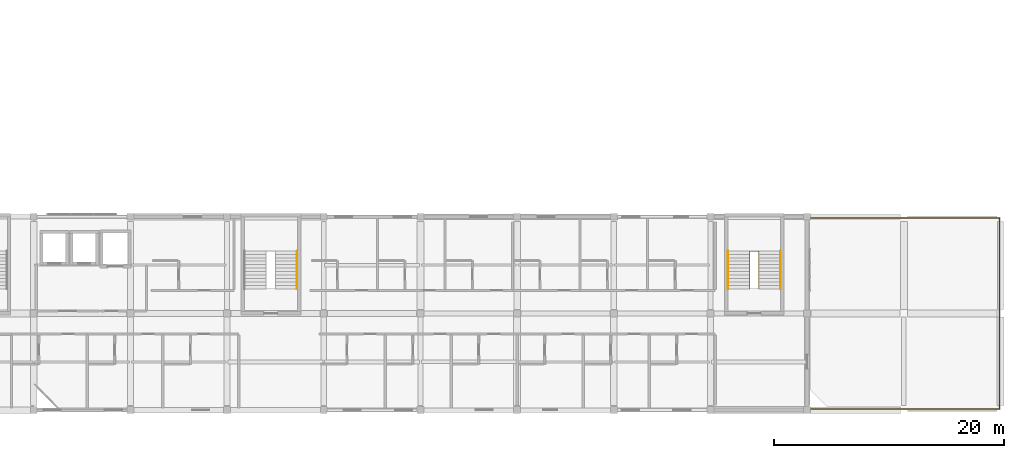
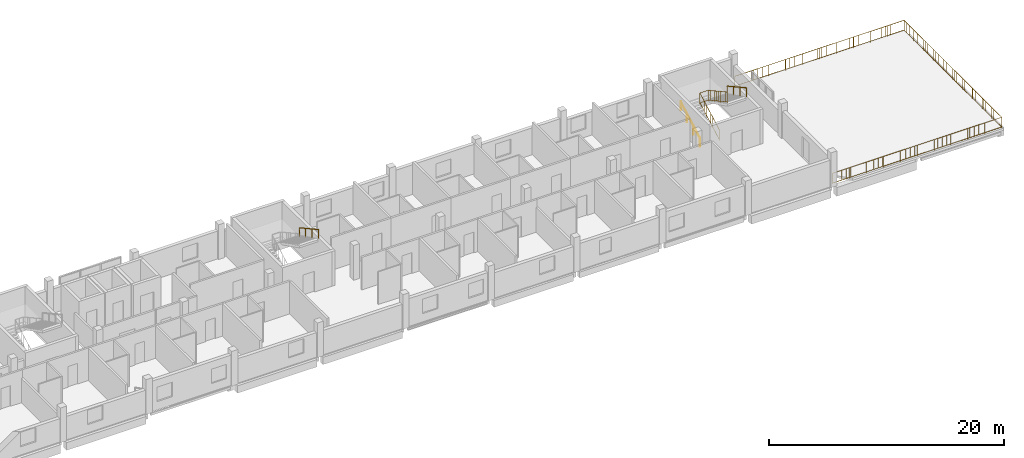
# One storey, part 25 of 25: 7 railings.
"""IFC4 building model written with IfcOpenShell, lengths in metres."""

from ifc_helpers import new_model, si_unit, derived_unit, direction, frame, origin, origin_2d, place, context, subcontext, project, spatial, circle, extrude, material, layer, layer_set, type_object, element, save


model = new_model("IFC4")

# Units and contexts
model_context = context("Model", 3, precision=1e-05, world=origin(), true_north=direction((0.0, 1.0)))
body_context = subcontext(model_context, "Body", "Model", "MODEL_VIEW")
ifc_project = project(units=[si_unit("LENGTHUNIT", "METRE"), si_unit("AREAUNIT", "SQUARE_METRE"), si_unit("VOLUMEUNIT", "CUBIC_METRE"), si_unit("PLANEANGLEUNIT", "RADIAN"), si_unit("MASSUNIT", "GRAM", prefix="KILO"), derived_unit("THERMALTRANSMITTANCEUNIT", [(si_unit("POWERUNIT", "WATT"), 1), (si_unit("LENGTHUNIT", "METRE"), -2), (si_unit("THERMODYNAMICTEMPERATUREUNIT", "KELVIN"), -1)])], contexts=[model_context])

# Site, building, storey
site_placement = place(None, origin())
site = spatial("IfcSite", under=ifc_project, at=site_placement, CompositionType="ELEMENT")
building_placement = place(site_placement, origin())
building = spatial("IfcBuilding", under=site, at=building_placement, Name="Barrovel Congress Hotel", CompositionType="ELEMENT")
storey_placement = place(building_placement, frame((0.0, 0.0, 25.5)))
storey = spatial("IfcBuildingStorey", under=building, at=storey_placement, Name="L06", CompositionType="ELEMENT", Elevation=25.5)

# Railings
ifc_material_1 = material(Name="Painted Architectural Steel", Category="steel")
ifc_layer_1 = layer(ifc_material_1, 0.080078125)
ifc_layer_set_1 = layer_set([ifc_layer_1], Name="Painted Architectural Steel")
railing_type_1 = type_object("IfcRailingType", Name="RAIL-GUARD-EXT", PredefinedType="BALUSTRADE", material=ifc_layer_set_1)
railing_1_placement = place(storey_placement, frame((151.300048828125, 4.300048828125, 0.0)))
element("IfcRailing", 1, at=railing_1_placement, inside=storey, type_object=railing_type_1, Name="L06 East Terrace Guardrail 1", PredefinedType="BALUSTRADE", context=body_context, shape_type="SweptSolid", body=[
    extrude(circle(Radius=0.02392578125, at=origin_2d()), frame((0.0, 0.0, 1.11572265625), z_axis=(1.0, 0.0, 0.0), x_axis=(0.0, 1.0, 0.0)), (0.0, 0.0, 1.0), 16.599853515625),
    extrude(circle(Radius=0.02392578125, at=origin_2d()), frame((0.0, 0.0, 0.10009765625), z_axis=(1.0, 0.0, 0.0), x_axis=(0.0, 1.0, 0.0)), (0.0, 0.0, 1.0), 16.599853515625),
    extrude(circle(Radius=0.010009765625, at=origin_2d()), frame((0.44873046875, 0.0, 0.10009765625)), (0.0, 0.0, 1.0), 0.99169921875),
    extrude(circle(Radius=0.010009765625, at=origin_2d()), frame((0.897216796875, 0.0, 0.10009765625)), (0.0, 0.0, 1.0), 0.99169921875),
    extrude(circle(Radius=0.010009765625, at=origin_2d()), frame((1.345947265625, 0.0, 0.10009765625)), (0.0, 0.0, 1.0), 0.99169921875),
    extrude(circle(Radius=0.010009765625, at=origin_2d()), frame((1.794677734375, 0.0, 0.10009765625)), (0.0, 0.0, 1.0), 0.99169921875),
    extrude(circle(Radius=0.010009765625, at=origin_2d()), frame((2.2431640625, 0.0, 0.10009765625)), (0.0, 0.0, 1.0), 0.99169921875),
    extrude(circle(Radius=0.010009765625, at=origin_2d()), frame((2.69189453125, 0.0, 0.10009765625)), (0.0, 0.0, 1.0), 0.99169921875),
    extrude(circle(Radius=0.010009765625, at=origin_2d()), frame((3.140625, 0.0, 0.10009765625)), (0.0, 0.0, 1.0), 0.99169921875),
    extrude(circle(Radius=0.010009765625, at=origin_2d()), frame((3.589111328125, 0.0, 0.10009765625)), (0.0, 0.0, 1.0), 0.99169921875),
    extrude(circle(Radius=0.010009765625, at=origin_2d()), frame((4.037841796875, 0.0, 0.10009765625)), (0.0, 0.0, 1.0), 0.99169921875),
    extrude(circle(Radius=0.010009765625, at=origin_2d()), frame((4.486328125, 0.0, 0.10009765625)), (0.0, 0.0, 1.0), 0.99169921875),
    extrude(circle(Radius=0.010009765625, at=origin_2d()), frame((4.93505859375, 0.0, 0.10009765625)), (0.0, 0.0, 1.0), 0.99169921875),
    extrude(circle(Radius=0.010009765625, at=origin_2d()), frame((5.3837890625, 0.0, 0.10009765625)), (0.0, 0.0, 1.0), 0.99169921875),
    extrude(circle(Radius=0.010009765625, at=origin_2d()), frame((5.832275390625, 0.0, 0.10009765625)), (0.0, 0.0, 1.0), 0.99169921875),
    extrude(circle(Radius=0.010009765625, at=origin_2d()), frame((6.281005859375, 0.0, 0.10009765625)), (0.0, 0.0, 1.0), 0.99169921875),
    extrude(circle(Radius=0.010009765625, at=origin_2d()), frame((6.729736328125, 0.0, 0.10009765625)), (0.0, 0.0, 1.0), 0.99169921875),
    extrude(circle(Radius=0.010009765625, at=origin_2d()), frame((7.17822265625, 0.0, 0.10009765625)), (0.0, 0.0, 1.0), 0.99169921875),
    extrude(circle(Radius=0.010009765625, at=origin_2d()), frame((7.626953125, 0.0, 0.10009765625)), (0.0, 0.0, 1.0), 0.99169921875),
    extrude(circle(Radius=0.010009765625, at=origin_2d()), frame((8.07568359375, 0.0, 0.10009765625)), (0.0, 0.0, 1.0), 0.99169921875),
    extrude(circle(Radius=0.010009765625, at=origin_2d()), frame((8.524169921875, 0.0, 0.10009765625)), (0.0, 0.0, 1.0), 0.99169921875),
    extrude(circle(Radius=0.010009765625, at=origin_2d()), frame((8.972900390625, 0.0, 0.10009765625)), (0.0, 0.0, 1.0), 0.99169921875),
    extrude(circle(Radius=0.010009765625, at=origin_2d()), frame((9.421630859375, 0.0, 0.10009765625)), (0.0, 0.0, 1.0), 0.99169921875),
    extrude(circle(Radius=0.010009765625, at=origin_2d()), frame((9.8701171875, 0.0, 0.10009765625)), (0.0, 0.0, 1.0), 0.99169921875),
    extrude(circle(Radius=0.010009765625, at=origin_2d()), frame((10.31884765625, 0.0, 0.10009765625)), (0.0, 0.0, 1.0), 0.99169921875),
    extrude(circle(Radius=0.010009765625, at=origin_2d()), frame((10.767578125, 0.0, 0.10009765625)), (0.0, 0.0, 1.0), 0.99169921875),
    extrude(circle(Radius=0.010009765625, at=origin_2d()), frame((11.216064453125, 0.0, 0.10009765625)), (0.0, 0.0, 1.0), 0.99169921875),
    extrude(circle(Radius=0.010009765625, at=origin_2d()), frame((11.664794921875, 0.0, 0.10009765625)), (0.0, 0.0, 1.0), 0.99169921875),
    extrude(circle(Radius=0.010009765625, at=origin_2d()), frame((12.113525390625, 0.0, 0.10009765625)), (0.0, 0.0, 1.0), 0.99169921875),
    extrude(circle(Radius=0.010009765625, at=origin_2d()), frame((12.56201171875, 0.0, 0.10009765625)), (0.0, 0.0, 1.0), 0.99169921875),
    extrude(circle(Radius=0.010009765625, at=origin_2d()), frame((13.0107421875, 0.0, 0.10009765625)), (0.0, 0.0, 1.0), 0.99169921875),
    extrude(circle(Radius=0.010009765625, at=origin_2d()), frame((13.459228515625, 0.0, 0.10009765625)), (0.0, 0.0, 1.0), 0.99169921875),
    extrude(circle(Radius=0.010009765625, at=origin_2d()), frame((13.907958984375, 0.0, 0.10009765625)), (0.0, 0.0, 1.0), 0.99169921875),
    extrude(circle(Radius=0.010009765625, at=origin_2d()), frame((14.356689453125, 0.0, 0.10009765625)), (0.0, 0.0, 1.0), 0.99169921875),
    extrude(circle(Radius=0.010009765625, at=origin_2d()), frame((14.80517578125, 0.0, 0.10009765625)), (0.0, 0.0, 1.0), 0.99169921875),
    extrude(circle(Radius=0.010009765625, at=origin_2d()), frame((15.25390625, 0.0, 0.10009765625)), (0.0, 0.0, 1.0), 0.99169921875),
    extrude(circle(Radius=0.010009765625, at=origin_2d()), frame((15.70263671875, 0.0, 0.10009765625)), (0.0, 0.0, 1.0), 0.99169921875),
    extrude(circle(Radius=0.010009765625, at=origin_2d()), frame((16.151123046875, 0.0, 0.10009765625)), (0.0, 0.0, 1.0), 0.99169921875),
    extrude(circle(Radius=0.02099609375, at=origin_2d()), origin(), (0.0, 0.0, 1.0), 1.091796875),
    extrude(circle(Radius=0.02099609375, at=origin_2d()), frame((1.659912109375, 0.0, 0.0)), (0.0, 0.0, 1.0), 1.091796875),
    extrude(circle(Radius=0.02099609375, at=origin_2d()), frame((3.320068359375, 0.0, 0.0)), (0.0, 0.0, 1.0), 1.091796875),
    extrude(circle(Radius=0.02099609375, at=origin_2d()), frame((4.97998046875, 0.0, 0.0)), (0.0, 0.0, 1.0), 1.091796875),
    extrude(circle(Radius=0.02099609375, at=origin_2d()), frame((6.639892578125, 0.0, 0.0)), (0.0, 0.0, 1.0), 1.091796875),
    extrude(circle(Radius=0.02099609375, at=origin_2d()), frame((8.2998046875, 0.0, 0.0)), (0.0, 0.0, 1.0), 1.091796875),
    extrude(circle(Radius=0.02099609375, at=origin_2d()), frame((9.9599609375, 0.0, 0.0)), (0.0, 0.0, 1.0), 1.091796875),
    extrude(circle(Radius=0.02099609375, at=origin_2d()), frame((11.619873046875, 0.0, 0.0)), (0.0, 0.0, 1.0), 1.091796875),
    extrude(circle(Radius=0.02099609375, at=origin_2d()), frame((13.27978515625, 0.0, 0.0)), (0.0, 0.0, 1.0), 1.091796875),
    extrude(circle(Radius=0.02099609375, at=origin_2d()), frame((14.93994140625, 0.0, 0.0)), (0.0, 0.0, 1.0), 1.091796875),
    extrude(circle(Radius=0.02099609375, at=origin_2d()), frame((16.599853515625, 0.0, 0.0)), (0.0, 0.0, 1.0), 1.091796875),
])
railing_2_placement = place(storey_placement, frame((167.89990234375, 4.300048828125, 0.0)))
element("IfcRailing", 2, at=railing_2_placement, inside=storey, type_object=railing_type_1, Name="L06 East Terrace Guardrail 2", PredefinedType="BALUSTRADE", context=body_context, shape_type="SweptSolid", body=[
    extrude(circle(Radius=0.02392578125, at=origin_2d()), frame((0.0, 0.0, 1.11572265625), z_axis=(0.0, 1.0, 0.0), x_axis=(-1.0, 0.0, 0.0)), (0.0, 0.0, 1.0), 16.599853515625),
    extrude(circle(Radius=0.02392578125, at=origin_2d()), frame((0.0, 0.0, 0.10009765625), z_axis=(0.0, 1.0, 0.0), x_axis=(-1.0, 0.0, 0.0)), (0.0, 0.0, 1.0), 16.599853515625),
    extrude(circle(Radius=0.010009765625, at=origin_2d()), frame((0.0, 0.44873046875, 0.10009765625)), (0.0, 0.0, 1.0), 0.99169921875),
    extrude(circle(Radius=0.010009765625, at=origin_2d()), frame((0.0, 0.897216796875, 0.10009765625)), (0.0, 0.0, 1.0), 0.99169921875),
    extrude(circle(Radius=0.010009765625, at=origin_2d()), frame((0.0, 1.345947265625, 0.10009765625)), (0.0, 0.0, 1.0), 0.99169921875),
    extrude(circle(Radius=0.010009765625, at=origin_2d()), frame((0.0, 1.794677734375, 0.10009765625)), (0.0, 0.0, 1.0), 0.99169921875),
    extrude(circle(Radius=0.010009765625, at=origin_2d()), frame((0.0, 2.2431640625, 0.10009765625)), (0.0, 0.0, 1.0), 0.99169921875),
    extrude(circle(Radius=0.010009765625, at=origin_2d()), frame((0.0, 2.69189453125, 0.10009765625)), (0.0, 0.0, 1.0), 0.99169921875),
    extrude(circle(Radius=0.010009765625, at=origin_2d()), frame((0.0, 3.140625, 0.10009765625)), (0.0, 0.0, 1.0), 0.99169921875),
    extrude(circle(Radius=0.010009765625, at=origin_2d()), frame((0.0, 3.589111328125, 0.10009765625)), (0.0, 0.0, 1.0), 0.99169921875),
    extrude(circle(Radius=0.010009765625, at=origin_2d()), frame((0.0, 4.037841796875, 0.10009765625)), (0.0, 0.0, 1.0), 0.99169921875),
    extrude(circle(Radius=0.010009765625, at=origin_2d()), frame((0.0, 4.486328125, 0.10009765625)), (0.0, 0.0, 1.0), 0.99169921875),
    extrude(circle(Radius=0.010009765625, at=origin_2d()), frame((0.0, 4.93505859375, 0.10009765625)), (0.0, 0.0, 1.0), 0.99169921875),
    extrude(circle(Radius=0.010009765625, at=origin_2d()), frame((0.0, 5.3837890625, 0.10009765625)), (0.0, 0.0, 1.0), 0.99169921875),
    extrude(circle(Radius=0.010009765625, at=origin_2d()), frame((0.0, 5.832275390625, 0.10009765625)), (0.0, 0.0, 1.0), 0.99169921875),
    extrude(circle(Radius=0.010009765625, at=origin_2d()), frame((0.0, 6.281005859375, 0.10009765625)), (0.0, 0.0, 1.0), 0.99169921875),
    extrude(circle(Radius=0.010009765625, at=origin_2d()), frame((0.0, 6.729736328125, 0.10009765625)), (0.0, 0.0, 1.0), 0.99169921875),
    extrude(circle(Radius=0.010009765625, at=origin_2d()), frame((0.0, 7.17822265625, 0.10009765625)), (0.0, 0.0, 1.0), 0.99169921875),
    extrude(circle(Radius=0.010009765625, at=origin_2d()), frame((0.0, 7.626953125, 0.10009765625)), (0.0, 0.0, 1.0), 0.99169921875),
    extrude(circle(Radius=0.010009765625, at=origin_2d()), frame((0.0, 8.07568359375, 0.10009765625)), (0.0, 0.0, 1.0), 0.99169921875),
    extrude(circle(Radius=0.010009765625, at=origin_2d()), frame((0.0, 8.524169921875, 0.10009765625)), (0.0, 0.0, 1.0), 0.99169921875),
    extrude(circle(Radius=0.010009765625, at=origin_2d()), frame((0.0, 8.972900390625, 0.10009765625)), (0.0, 0.0, 1.0), 0.99169921875),
    extrude(circle(Radius=0.010009765625, at=origin_2d()), frame((0.0, 9.421630859375, 0.10009765625)), (0.0, 0.0, 1.0), 0.99169921875),
    extrude(circle(Radius=0.010009765625, at=origin_2d()), frame((0.0, 9.8701171875, 0.10009765625)), (0.0, 0.0, 1.0), 0.99169921875),
    extrude(circle(Radius=0.010009765625, at=origin_2d()), frame((0.0, 10.31884765625, 0.10009765625)), (0.0, 0.0, 1.0), 0.99169921875),
    extrude(circle(Radius=0.010009765625, at=origin_2d()), frame((0.0, 10.767578125, 0.10009765625)), (0.0, 0.0, 1.0), 0.99169921875),
    extrude(circle(Radius=0.010009765625, at=origin_2d()), frame((0.0, 11.216064453125, 0.10009765625)), (0.0, 0.0, 1.0), 0.99169921875),
    extrude(circle(Radius=0.010009765625, at=origin_2d()), frame((0.0, 11.664794921875, 0.10009765625)), (0.0, 0.0, 1.0), 0.99169921875),
    extrude(circle(Radius=0.010009765625, at=origin_2d()), frame((0.0, 12.113525390625, 0.10009765625)), (0.0, 0.0, 1.0), 0.99169921875),
    extrude(circle(Radius=0.010009765625, at=origin_2d()), frame((0.0, 12.56201171875, 0.10009765625)), (0.0, 0.0, 1.0), 0.99169921875),
    extrude(circle(Radius=0.010009765625, at=origin_2d()), frame((0.0, 13.0107421875, 0.10009765625)), (0.0, 0.0, 1.0), 0.99169921875),
    extrude(circle(Radius=0.010009765625, at=origin_2d()), frame((0.0, 13.459228515625, 0.10009765625)), (0.0, 0.0, 1.0), 0.99169921875),
    extrude(circle(Radius=0.010009765625, at=origin_2d()), frame((0.0, 13.907958984375, 0.10009765625)), (0.0, 0.0, 1.0), 0.99169921875),
    extrude(circle(Radius=0.010009765625, at=origin_2d()), frame((0.0, 14.356689453125, 0.10009765625)), (0.0, 0.0, 1.0), 0.99169921875),
    extrude(circle(Radius=0.010009765625, at=origin_2d()), frame((0.0, 14.80517578125, 0.10009765625)), (0.0, 0.0, 1.0), 0.99169921875),
    extrude(circle(Radius=0.010009765625, at=origin_2d()), frame((0.0, 15.25390625, 0.10009765625)), (0.0, 0.0, 1.0), 0.99169921875),
    extrude(circle(Radius=0.010009765625, at=origin_2d()), frame((0.0, 15.70263671875, 0.10009765625)), (0.0, 0.0, 1.0), 0.99169921875),
    extrude(circle(Radius=0.010009765625, at=origin_2d()), frame((0.0, 16.151123046875, 0.10009765625)), (0.0, 0.0, 1.0), 0.99169921875),
    extrude(circle(Radius=0.02099609375, at=origin_2d()), origin(), (0.0, 0.0, 1.0), 1.091796875),
    extrude(circle(Radius=0.02099609375, at=origin_2d()), frame((0.0, 1.659912109375, 0.0)), (0.0, 0.0, 1.0), 1.091796875),
    extrude(circle(Radius=0.02099609375, at=origin_2d()), frame((0.0, 3.320068359375, 0.0)), (0.0, 0.0, 1.0), 1.091796875),
    extrude(circle(Radius=0.02099609375, at=origin_2d()), frame((0.0, 4.97998046875, 0.0)), (0.0, 0.0, 1.0), 1.091796875),
    extrude(circle(Radius=0.02099609375, at=origin_2d()), frame((0.0, 6.639892578125, 0.0)), (0.0, 0.0, 1.0), 1.091796875),
    extrude(circle(Radius=0.02099609375, at=origin_2d()), frame((0.0, 8.2998046875, 0.0)), (0.0, 0.0, 1.0), 1.091796875),
    extrude(circle(Radius=0.02099609375, at=origin_2d()), frame((0.0, 9.9599609375, 0.0)), (0.0, 0.0, 1.0), 1.091796875),
    extrude(circle(Radius=0.02099609375, at=origin_2d()), frame((0.0, 11.619873046875, 0.0)), (0.0, 0.0, 1.0), 1.091796875),
    extrude(circle(Radius=0.02099609375, at=origin_2d()), frame((0.0, 13.27978515625, 0.0)), (0.0, 0.0, 1.0), 1.091796875),
    extrude(circle(Radius=0.02099609375, at=origin_2d()), frame((0.0, 14.93994140625, 0.0)), (0.0, 0.0, 1.0), 1.091796875),
    extrude(circle(Radius=0.02099609375, at=origin_2d()), frame((0.0, 16.599853515625, 0.0)), (0.0, 0.0, 1.0), 1.091796875),
])
railing_3_placement = place(storey_placement, frame((167.89990234375, 20.89990234375, 0.0)))
element("IfcRailing", 3, at=railing_3_placement, inside=storey, type_object=railing_type_1, Name="L06 East Terrace Guardrail 3", PredefinedType="BALUSTRADE", context=body_context, shape_type="SweptSolid", body=[
    extrude(circle(Radius=0.02392578125, at=origin_2d()), frame((0.0, 0.0, 1.11572265625), z_axis=(-1.0, 0.0, 0.0), x_axis=(0.0, -1.0, 0.0)), (0.0, 0.0, 1.0), 16.599853515625),
    extrude(circle(Radius=0.02392578125, at=origin_2d()), frame((0.0, 0.0, 0.10009765625), z_axis=(-1.0, 0.0, 0.0), x_axis=(0.0, -1.0, 0.0)), (0.0, 0.0, 1.0), 16.599853515625),
    extrude(circle(Radius=0.010009765625, at=origin_2d()), frame((-0.44873046875, 0.0, 0.10009765625)), (0.0, 0.0, 1.0), 0.99169921875),
    extrude(circle(Radius=0.010009765625, at=origin_2d()), frame((-0.897216796875, 0.0, 0.10009765625)), (0.0, 0.0, 1.0), 0.99169921875),
    extrude(circle(Radius=0.010009765625, at=origin_2d()), frame((-1.345947265625, 0.0, 0.10009765625)), (0.0, 0.0, 1.0), 0.99169921875),
    extrude(circle(Radius=0.010009765625, at=origin_2d()), frame((-1.794677734375, 0.0, 0.10009765625)), (0.0, 0.0, 1.0), 0.99169921875),
    extrude(circle(Radius=0.010009765625, at=origin_2d()), frame((-2.2431640625, 0.0, 0.10009765625)), (0.0, 0.0, 1.0), 0.99169921875),
    extrude(circle(Radius=0.010009765625, at=origin_2d()), frame((-2.69189453125, 0.0, 0.10009765625)), (0.0, 0.0, 1.0), 0.99169921875),
    extrude(circle(Radius=0.010009765625, at=origin_2d()), frame((-3.140625, 0.0, 0.10009765625)), (0.0, 0.0, 1.0), 0.99169921875),
    extrude(circle(Radius=0.010009765625, at=origin_2d()), frame((-3.589111328125, 0.0, 0.10009765625)), (0.0, 0.0, 1.0), 0.99169921875),
    extrude(circle(Radius=0.010009765625, at=origin_2d()), frame((-4.037841796875, 0.0, 0.10009765625)), (0.0, 0.0, 1.0), 0.99169921875),
    extrude(circle(Radius=0.010009765625, at=origin_2d()), frame((-4.486328125, 0.0, 0.10009765625)), (0.0, 0.0, 1.0), 0.99169921875),
    extrude(circle(Radius=0.010009765625, at=origin_2d()), frame((-4.93505859375, 0.0, 0.10009765625)), (0.0, 0.0, 1.0), 0.99169921875),
    extrude(circle(Radius=0.010009765625, at=origin_2d()), frame((-5.3837890625, 0.0, 0.10009765625)), (0.0, 0.0, 1.0), 0.99169921875),
    extrude(circle(Radius=0.010009765625, at=origin_2d()), frame((-5.832275390625, 0.0, 0.10009765625)), (0.0, 0.0, 1.0), 0.99169921875),
    extrude(circle(Radius=0.010009765625, at=origin_2d()), frame((-6.281005859375, 0.0, 0.10009765625)), (0.0, 0.0, 1.0), 0.99169921875),
    extrude(circle(Radius=0.010009765625, at=origin_2d()), frame((-6.729736328125, 0.0, 0.10009765625)), (0.0, 0.0, 1.0), 0.99169921875),
    extrude(circle(Radius=0.010009765625, at=origin_2d()), frame((-7.17822265625, 0.0, 0.10009765625)), (0.0, 0.0, 1.0), 0.99169921875),
    extrude(circle(Radius=0.010009765625, at=origin_2d()), frame((-7.626953125, 0.0, 0.10009765625)), (0.0, 0.0, 1.0), 0.99169921875),
    extrude(circle(Radius=0.010009765625, at=origin_2d()), frame((-8.07568359375, 0.0, 0.10009765625)), (0.0, 0.0, 1.0), 0.99169921875),
    extrude(circle(Radius=0.010009765625, at=origin_2d()), frame((-8.524169921875, 0.0, 0.10009765625)), (0.0, 0.0, 1.0), 0.99169921875),
    extrude(circle(Radius=0.010009765625, at=origin_2d()), frame((-8.972900390625, 0.0, 0.10009765625)), (0.0, 0.0, 1.0), 0.99169921875),
    extrude(circle(Radius=0.010009765625, at=origin_2d()), frame((-9.421630859375, 0.0, 0.10009765625)), (0.0, 0.0, 1.0), 0.99169921875),
    extrude(circle(Radius=0.010009765625, at=origin_2d()), frame((-9.8701171875, 0.0, 0.10009765625)), (0.0, 0.0, 1.0), 0.99169921875),
    extrude(circle(Radius=0.010009765625, at=origin_2d()), frame((-10.31884765625, 0.0, 0.10009765625)), (0.0, 0.0, 1.0), 0.99169921875),
    extrude(circle(Radius=0.010009765625, at=origin_2d()), frame((-10.767578125, 0.0, 0.10009765625)), (0.0, 0.0, 1.0), 0.99169921875),
    extrude(circle(Radius=0.010009765625, at=origin_2d()), frame((-11.216064453125, 0.0, 0.10009765625)), (0.0, 0.0, 1.0), 0.99169921875),
    extrude(circle(Radius=0.010009765625, at=origin_2d()), frame((-11.664794921875, 0.0, 0.10009765625)), (0.0, 0.0, 1.0), 0.99169921875),
    extrude(circle(Radius=0.010009765625, at=origin_2d()), frame((-12.113525390625, 0.0, 0.10009765625)), (0.0, 0.0, 1.0), 0.99169921875),
    extrude(circle(Radius=0.010009765625, at=origin_2d()), frame((-12.56201171875, 0.0, 0.10009765625)), (0.0, 0.0, 1.0), 0.99169921875),
    extrude(circle(Radius=0.010009765625, at=origin_2d()), frame((-13.0107421875, 0.0, 0.10009765625)), (0.0, 0.0, 1.0), 0.99169921875),
    extrude(circle(Radius=0.010009765625, at=origin_2d()), frame((-13.459228515625, 0.0, 0.10009765625)), (0.0, 0.0, 1.0), 0.99169921875),
    extrude(circle(Radius=0.010009765625, at=origin_2d()), frame((-13.907958984375, 0.0, 0.10009765625)), (0.0, 0.0, 1.0), 0.99169921875),
    extrude(circle(Radius=0.010009765625, at=origin_2d()), frame((-14.356689453125, 0.0, 0.10009765625)), (0.0, 0.0, 1.0), 0.99169921875),
    extrude(circle(Radius=0.010009765625, at=origin_2d()), frame((-14.80517578125, 0.0, 0.10009765625)), (0.0, 0.0, 1.0), 0.99169921875),
    extrude(circle(Radius=0.010009765625, at=origin_2d()), frame((-15.25390625, 0.0, 0.10009765625)), (0.0, 0.0, 1.0), 0.99169921875),
    extrude(circle(Radius=0.010009765625, at=origin_2d()), frame((-15.70263671875, 0.0, 0.10009765625)), (0.0, 0.0, 1.0), 0.99169921875),
    extrude(circle(Radius=0.010009765625, at=origin_2d()), frame((-16.151123046875, 0.0, 0.10009765625)), (0.0, 0.0, 1.0), 0.99169921875),
    extrude(circle(Radius=0.02099609375, at=origin_2d()), origin(), (0.0, 0.0, 1.0), 1.091796875),
    extrude(circle(Radius=0.02099609375, at=origin_2d()), frame((-1.659912109375, 0.0, 0.0)), (0.0, 0.0, 1.0), 1.091796875),
    extrude(circle(Radius=0.02099609375, at=origin_2d()), frame((-3.320068359375, 0.0, 0.0)), (0.0, 0.0, 1.0), 1.091796875),
    extrude(circle(Radius=0.02099609375, at=origin_2d()), frame((-4.97998046875, 0.0, 0.0)), (0.0, 0.0, 1.0), 1.091796875),
    extrude(circle(Radius=0.02099609375, at=origin_2d()), frame((-6.639892578125, 0.0, 0.0)), (0.0, 0.0, 1.0), 1.091796875),
    extrude(circle(Radius=0.02099609375, at=origin_2d()), frame((-8.2998046875, 0.0, 0.0)), (0.0, 0.0, 1.0), 1.091796875),
    extrude(circle(Radius=0.02099609375, at=origin_2d()), frame((-9.9599609375, 0.0, 0.0)), (0.0, 0.0, 1.0), 1.091796875),
    extrude(circle(Radius=0.02099609375, at=origin_2d()), frame((-11.619873046875, 0.0, 0.0)), (0.0, 0.0, 1.0), 1.091796875),
    extrude(circle(Radius=0.02099609375, at=origin_2d()), frame((-13.27978515625, 0.0, 0.0)), (0.0, 0.0, 1.0), 1.091796875),
    extrude(circle(Radius=0.02099609375, at=origin_2d()), frame((-14.93994140625, 0.0, 0.0)), (0.0, 0.0, 1.0), 1.091796875),
    extrude(circle(Radius=0.02099609375, at=origin_2d()), frame((-16.599853515625, 0.0, 0.0)), (0.0, 0.0, 1.0), 1.091796875),
])
ifc_layer_2 = layer(ifc_material_1, 0.070068359375)
ifc_layer_set_2 = layer_set([ifc_layer_2], Name="Painted Architectural Steel")
railing_type_2 = type_object("IfcRailingType", Name="RAIL-GUARD-INT", PredefinedType="BALUSTRADE", material=ifc_layer_set_2)
railing_4_placement = place(storey_placement, frame((146.199951171875, 14.739990234375, 0.0)))
element("IfcRailing", 4, at=railing_4_placement, inside=storey, type_object=railing_type_2, Name="STAIR:XS-04:L06:GR-W", PredefinedType="BALUSTRADE", context=body_context, shape_type="SweptSolid", body=[
    extrude(circle(Radius=0.02392578125, at=origin_2d()), frame((0.0, 0.0, 1.11572265625), z_axis=(0.0, 0.876041855244, 0.482235075311), x_axis=(-1.0, 0.0, 0.0)), (0.0, 0.0, 1.0), 3.732666015625),
    extrude(circle(Radius=0.02392578125, at=origin_2d()), frame((0.0, 0.0, 0.10009765625), z_axis=(0.0, 0.876041855244, 0.482235075311), x_axis=(-1.0, 0.0, 0.0)), (0.0, 0.0, 1.0), 3.732666015625),
    extrude(circle(Radius=0.010009765625, at=origin_2d()), frame((0.0, 0.36328125, 0.300048828125)), (0.0, 0.0, 1.0), 0.99169921875),
    extrude(circle(Radius=0.010009765625, at=origin_2d()), frame((0.0, 0.7265625, 0.5)), (0.0, 0.0, 1.0), 0.99169921875),
    extrude(circle(Radius=0.010009765625, at=origin_2d()), frame((0.0, 1.090087890625, 0.699951171875)), (0.0, 0.0, 1.0), 0.99169921875),
    extrude(circle(Radius=0.010009765625, at=origin_2d()), frame((0.0, 1.453369140625, 0.89990234375)), (0.0, 0.0, 1.0), 0.99169921875),
    extrude(circle(Radius=0.010009765625, at=origin_2d()), frame((0.0, 1.816650390625, 1.10009765625)), (0.0, 0.0, 1.0), 0.99169921875),
    extrude(circle(Radius=0.010009765625, at=origin_2d()), frame((0.0, 2.179931640625, 1.300048828125)), (0.0, 0.0, 1.0), 0.99169921875),
    extrude(circle(Radius=0.010009765625, at=origin_2d()), frame((0.0, 2.54345703125, 1.5)), (0.0, 0.0, 1.0), 0.99169921875),
    extrude(circle(Radius=0.010009765625, at=origin_2d()), frame((0.0, 2.90673828125, 1.699951171875)), (0.0, 0.0, 1.0), 0.99169921875),
    extrude(circle(Radius=0.02392578125, at=origin_2d()), frame((0.0, 3.27001953125, 2.916015625), z_axis=(1.0, 0.0, 0.0), x_axis=(0.0, 1.0, 0.0)), (0.0, 0.0, 1.0), 0.800048828125),
    extrude(circle(Radius=0.02392578125, at=origin_2d()), frame((0.0, 3.27001953125, 1.900146484375), z_axis=(1.0, 0.0, 0.0), x_axis=(0.0, 1.0, 0.0)), (0.0, 0.0, 1.0), 0.800048828125),
    extrude(circle(Radius=0.010009765625, at=origin_2d()), frame((0.39990234375, 3.27001953125, 1.900146484375)), (0.0, 0.0, 1.0), 0.99169921875),
    extrude(circle(Radius=0.02392578125, at=origin_2d()), frame((0.800048828125, 3.27001953125, 2.916015625), z_axis=(0.0, -0.876041855244, 0.482235075311), x_axis=(1.0, 0.0, 0.0)), (0.0, 0.0, 1.0), 3.732666015625),
    extrude(circle(Radius=0.02392578125, at=origin_2d()), frame((0.800048828125, 3.27001953125, 1.900146484375), z_axis=(0.0, -0.876041855244, 0.482235075311), x_axis=(1.0, 0.0, 0.0)), (0.0, 0.0, 1.0), 3.732666015625),
    extrude(circle(Radius=0.010009765625, at=origin_2d()), frame((0.800048828125, 2.90673828125, 2.10009765625)), (0.0, 0.0, 1.0), 0.99169921875),
    extrude(circle(Radius=0.010009765625, at=origin_2d()), frame((0.800048828125, 2.54345703125, 2.300048828125)), (0.0, 0.0, 1.0), 0.99169921875),
    extrude(circle(Radius=0.010009765625, at=origin_2d()), frame((0.800048828125, 2.179931640625, 2.5)), (0.0, 0.0, 1.0), 0.99169921875),
    extrude(circle(Radius=0.010009765625, at=origin_2d()), frame((0.800048828125, 1.816650390625, 2.699951171875)), (0.0, 0.0, 1.0), 0.99169921875),
    extrude(circle(Radius=0.010009765625, at=origin_2d()), frame((0.800048828125, 1.453369140625, 2.900146484375)), (0.0, 0.0, 1.0), 0.99169921875),
    extrude(circle(Radius=0.010009765625, at=origin_2d()), frame((0.800048828125, 1.090087890625, 3.10009765625)), (0.0, 0.0, 1.0), 0.99169921875),
    extrude(circle(Radius=0.010009765625, at=origin_2d()), frame((0.800048828125, 0.7265625, 3.300048828125)), (0.0, 0.0, 1.0), 0.99169921875),
    extrude(circle(Radius=0.010009765625, at=origin_2d()), frame((0.800048828125, 0.36328125, 3.5)), (0.0, 0.0, 1.0), 0.99169921875),
    extrude(circle(Radius=0.02099609375, at=origin_2d()), origin(), (0.0, 0.0, 1.0), 1.091796875),
    extrude(circle(Radius=0.02099609375, at=origin_2d()), frame((0.0, 1.090087890625, 0.60009765625)), (0.0, 0.0, 1.0), 1.091796875),
    extrude(circle(Radius=0.02099609375, at=origin_2d()), frame((0.0, 2.179931640625, 1.199951171875)), (0.0, 0.0, 1.0), 1.091796875),
    extrude(circle(Radius=0.02099609375, at=origin_2d()), frame((0.0, 3.27001953125, 1.800048828125)), (0.0, 0.0, 1.0), 1.091796875),
    extrude(circle(Radius=0.02099609375, at=origin_2d()), frame((0.800048828125, 3.27001953125, 1.800048828125)), (0.0, 0.0, 1.0), 1.091796875),
    extrude(circle(Radius=0.02099609375, at=origin_2d()), frame((0.800048828125, 2.179931640625, 2.400146484375)), (0.0, 0.0, 1.0), 1.091796875),
    extrude(circle(Radius=0.02099609375, at=origin_2d()), frame((0.800048828125, 1.090087890625, 3.0)), (0.0, 0.0, 1.0), 1.091796875),
    extrude(circle(Radius=0.02099609375, at=origin_2d()), frame((0.800048828125, 0.0, 3.60009765625)), (0.0, 0.0, 1.0), 1.091796875),
])
ifc_material_2 = material(Name="Brushed Stainless Steel", Category="steel")
ifc_layer_3 = layer(ifc_material_2, 0.050048828125)
ifc_layer_set_3 = layer_set([ifc_layer_3], Name="Brushed Stainless Steel")
railing_type_3 = type_object("IfcRailingType", Name="RAIL-HAND", PredefinedType="HANDRAIL", material=ifc_layer_set_3)
railing_5_placement = place(storey_placement, frame((106.8798828125, 18.010009765625, 1.800048828125)))
element("IfcRailing", 5, at=railing_5_placement, inside=storey, type_object=railing_type_3, Name="STAIR:XS-03:L06:HR-2", PredefinedType="HANDRAIL", context=body_context, shape_type="SweptSolid", body=[
    extrude(circle(Radius=0.02392578125, at=origin_2d()), frame((0.0, 0.0, 0.89599609375), z_axis=(0.0, -0.876041855244, 0.482235075311), x_axis=(1.0, 0.0, 0.0)), (0.0, 0.0, 1.0), 3.732666015625),
    extrude(circle(Radius=0.02099609375, at=origin_2d()), origin(), (0.0, 0.0, 1.0), 0.871826171875),
    extrude(circle(Radius=0.02099609375, at=origin_2d()), frame((0.0, -1.090087890625, 0.60009765625)), (0.0, 0.0, 1.0), 0.871826171875),
    extrude(circle(Radius=0.02099609375, at=origin_2d()), frame((0.0, -2.179931640625, 1.199951171875)), (0.0, 0.0, 1.0), 0.871826171875),
    extrude(circle(Radius=0.02099609375, at=origin_2d()), frame((0.0, -3.27001953125, 1.800048828125)), (0.0, 0.0, 1.0), 0.871826171875),
])
railing_6_placement = place(storey_placement, frame((144.320068359375, 14.739990234375, 0.0)))
element("IfcRailing", 6, at=railing_6_placement, inside=storey, type_object=railing_type_3, Name="STAIR:XS-04:L06:HR-1", PredefinedType="HANDRAIL", context=body_context, shape_type="SweptSolid", body=[
    extrude(circle(Radius=0.02392578125, at=origin_2d()), frame((0.0, 0.0, 0.89599609375), z_axis=(0.0, 0.876041855244, 0.482235075311), x_axis=(-1.0, 0.0, 0.0)), (0.0, 0.0, 1.0), 3.732666015625),
    extrude(circle(Radius=0.02099609375, at=origin_2d()), origin(), (0.0, 0.0, 1.0), 0.871826171875),
    extrude(circle(Radius=0.02099609375, at=origin_2d()), frame((0.0, 1.090087890625, 0.60009765625)), (0.0, 0.0, 1.0), 0.871826171875),
    extrude(circle(Radius=0.02099609375, at=origin_2d()), frame((0.0, 2.179931640625, 1.199951171875)), (0.0, 0.0, 1.0), 0.871826171875),
    extrude(circle(Radius=0.02099609375, at=origin_2d()), frame((0.0, 3.27001953125, 1.800048828125)), (0.0, 0.0, 1.0), 0.871826171875),
])
railing_7_placement = place(storey_placement, frame((148.8798828125, 18.010009765625, 1.800048828125)))
element("IfcRailing", 7, at=railing_7_placement, inside=storey, type_object=railing_type_3, Name="STAIR:XS-04:L06:HR-2", PredefinedType="HANDRAIL", context=body_context, shape_type="SweptSolid", body=[
    extrude(circle(Radius=0.02392578125, at=origin_2d()), frame((0.0, 0.0, 0.89599609375), z_axis=(0.0, -0.876041855244, 0.482235075311), x_axis=(1.0, 0.0, 0.0)), (0.0, 0.0, 1.0), 3.732666015625),
    extrude(circle(Radius=0.02099609375, at=origin_2d()), origin(), (0.0, 0.0, 1.0), 0.871826171875),
    extrude(circle(Radius=0.02099609375, at=origin_2d()), frame((0.0, -1.090087890625, 0.60009765625)), (0.0, 0.0, 1.0), 0.871826171875),
    extrude(circle(Radius=0.02099609375, at=origin_2d()), frame((0.0, -2.179931640625, 1.199951171875)), (0.0, 0.0, 1.0), 0.871826171875),
    extrude(circle(Radius=0.02099609375, at=origin_2d()), frame((0.0, -3.27001953125, 1.800048828125)), (0.0, 0.0, 1.0), 0.871826171875),
])

save(model, "model.ifc")
